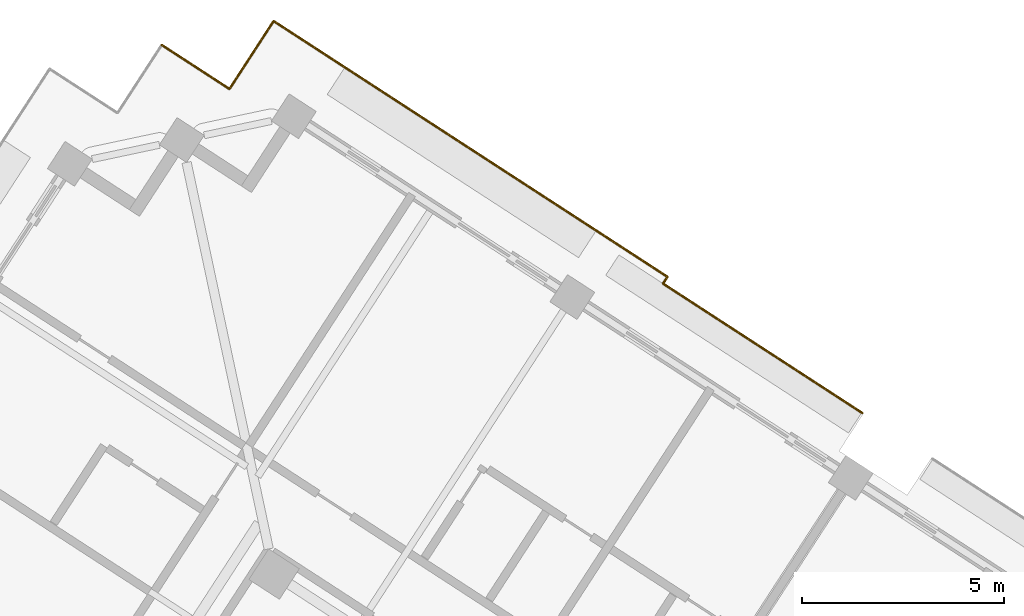
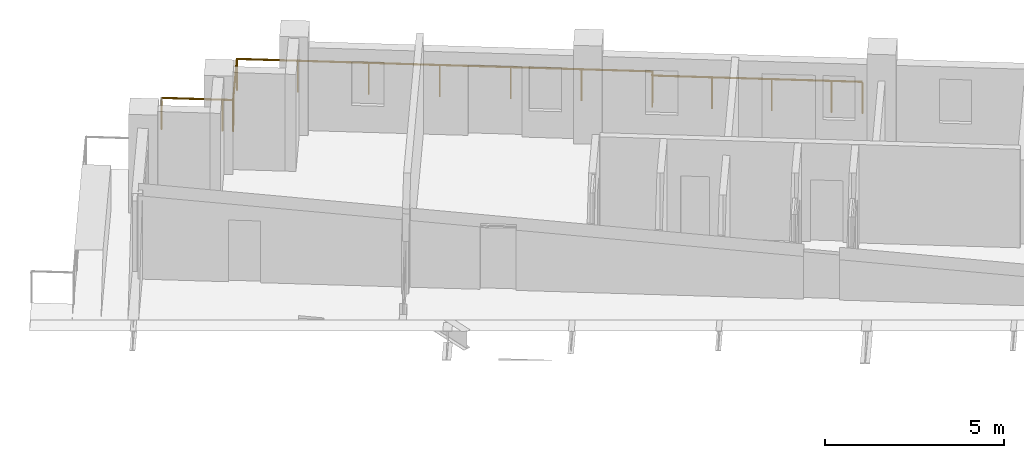
# One storey, part 16 of 17: 1 railing.
"""IFC4 building model written with IfcOpenShell, lengths in metres."""

from ifc_helpers import new_model, si_unit, direction, frame, origin, origin_2d, place, context, subcontext, project, spatial, circle, extrude, material, type_object, element, save


model = new_model("IFC4")

# Units and contexts
model_context = context("Model", 3, precision=1e-05, world=origin(), true_north=direction((0.0, 1.0)))
body_context = subcontext(model_context, "Body", "Model", "MODEL_VIEW")
ifc_project = project(units=[si_unit("LENGTHUNIT", "METRE"), si_unit("AREAUNIT", "SQUARE_METRE"), si_unit("VOLUMEUNIT", "CUBIC_METRE"), si_unit("PLANEANGLEUNIT", "RADIAN"), si_unit("MASSUNIT", "GRAM", prefix="KILO")], contexts=[model_context])

# Site, building, storey
site_placement = place(None, origin())
site = spatial("IfcSite", under=ifc_project, at=site_placement, CompositionType="ELEMENT")
building_placement = place(site_placement, origin())
building = spatial("IfcBuilding", under=site, at=building_placement, Name="Cantera Rosa Tower", CompositionType="ELEMENT")
storey_placement = place(building_placement, frame((0.0, 0.0, 254.10009765625)))
storey = spatial("IfcBuildingStorey", under=building, at=storey_placement, Name="L56", CompositionType="ELEMENT", Elevation=254.10009765625)

# Railing
ifc_material = material(Name="Stainless steel and laminated glass", Category="steel")
railing_type = type_object("IfcRailingType", Name="GUARD 1100", PredefinedType="BALUSTRADE", material=ifc_material)
railing_placement = place(storey_placement, frame((-4.248779296875, 30.362548828125, 0.0)))
element("IfcRailing", 1, at=railing_placement, inside=storey, type_object=railing_type, Name="GUARD L56-5", PredefinedType="BALUSTRADE", context=body_context, shape_type="SweptSolid", body=[
    extrude(circle(Radius=0.030029296875, at=origin_2d()), frame((0.0, 0.0, 1.070068359375), z_axis=(0.83859780397, -0.544751065329, 0.0), x_axis=(0.544751065329, 0.83859780397, 0.0)), (0.0, 0.0, 1.0), 1.699951171875),
    extrude(circle(Radius=0.030029296875, at=origin_2d()), frame((1.425537109375, -0.926025390625, 1.070068359375), z_axis=(0.838870916629, -0.5443304008, 0.0), x_axis=(0.5443304008, 0.838870916629, 0.0)), (0.0, 0.0, 1.0), 0.300048828125),
    extrude(circle(Radius=0.030029296875, at=origin_2d()), frame((1.67724609375, -1.08935546875, 1.070068359375), z_axis=(0.5443304008, 0.838870916629, 0.0), x_axis=(-0.838870916629, 0.5443304008, 0.0)), (0.0, 0.0, 1.0), 0.300048828125),
    extrude(circle(Radius=0.030029296875, at=origin_2d()), frame((1.840576171875, -0.837646484375, 1.070068359375), z_axis=(0.544751065329, 0.83859780397, 0.0), x_axis=(-0.83859780397, 0.544751065329, 0.0)), (0.0, 0.0, 1.0), 1.699951171875),
    extrude(circle(Radius=0.030029296875, at=origin_2d()), frame((2.7666015625, 0.587890625, 1.070068359375), z_axis=(0.838663412569, -0.54465005317, 0.0), x_axis=(0.54465005317, 0.838663412569, 0.0)), (0.0, 0.0, 1.0), 1.69970703125),
    extrude(circle(Radius=0.030029296875, at=origin_2d()), frame((4.192138671875, -0.337890625, 1.070068359375), z_axis=(0.83867848478, -0.544626843964, 0.0), x_axis=(0.544626843964, 0.83867848478, 0.0)), (0.0, 0.0, 1.0), 9.900146484375),
    extrude(circle(Radius=0.030029296875, at=origin_2d()), frame((12.4951171875, -5.729736328125, 1.070068359375), z_axis=(-0.544516215992, -0.838750314767, 0.0), x_axis=(0.838750314767, -0.544516215992, 0.0)), (0.0, 0.0, 1.0), 0.199951171875),
    extrude(circle(Radius=0.030029296875, at=origin_2d()), frame((12.38623046875, -5.8974609375, 1.070068359375), z_axis=(0.838653278808, -0.544665657027, 0.0), x_axis=(0.544665657027, 0.838653278808, 0.0)), (0.0, 0.0, 1.0), 5.0),
    extrude(circle(Radius=0.030029296875, at=origin_2d()), frame((16.57958984375, -8.620849609375, 1.070068359375), z_axis=(0.838725681888, -0.544554157584, 0.0), x_axis=(0.544554157584, 0.838725681888, 0.0)), (0.0, 0.0, 1.0), 0.869873046875),
    extrude(circle(Radius=0.02490234375, at=origin_2d()), origin(), (0.0, 0.0, 1.0), 1.0400390625),
    extrude(circle(Radius=0.02490234375, at=origin_2d()), frame((1.425537109375, -0.926025390625, 0.0)), (0.0, 0.0, 1.0), 1.0400390625),
    extrude(circle(Radius=0.02490234375, at=origin_2d()), frame((1.67724609375, -1.08935546875, 0.0)), (0.0, 0.0, 1.0), 1.0400390625),
    extrude(circle(Radius=0.02490234375, at=origin_2d()), frame((1.840576171875, -0.837646484375, 0.0)), (0.0, 0.0, 1.0), 1.0400390625),
    extrude(circle(Radius=0.02490234375, at=origin_2d()), frame((2.7666015625, 0.587890625, 0.0)), (0.0, 0.0, 1.0), 1.0400390625),
    extrude(circle(Radius=0.02490234375, at=origin_2d()), frame((4.192138671875, -0.337890625, 0.0)), (0.0, 0.0, 1.0), 1.0400390625),
    extrude(circle(Radius=0.02490234375, at=origin_2d()), frame((5.852783203125, -1.416259765625, 0.0)), (0.0, 0.0, 1.0), 1.0400390625),
    extrude(circle(Radius=0.02490234375, at=origin_2d()), frame((7.513427734375, -2.49462890625, 0.0)), (0.0, 0.0, 1.0), 1.0400390625),
    extrude(circle(Radius=0.02490234375, at=origin_2d()), frame((9.173828125, -3.572998046875, 0.0)), (0.0, 0.0, 1.0), 1.0400390625),
    extrude(circle(Radius=0.02490234375, at=origin_2d()), frame((10.83447265625, -4.6513671875, 0.0)), (0.0, 0.0, 1.0), 1.0400390625),
    extrude(circle(Radius=0.02490234375, at=origin_2d()), frame((12.4951171875, -5.729736328125, 0.0)), (0.0, 0.0, 1.0), 1.0400390625),
    extrude(circle(Radius=0.02490234375, at=origin_2d()), frame((12.38623046875, -5.8974609375, 0.0)), (0.0, 0.0, 1.0), 1.0400390625),
    extrude(circle(Radius=0.02490234375, at=origin_2d()), frame((13.783935546875, -6.80517578125, 0.0)), (0.0, 0.0, 1.0), 1.0400390625),
    extrude(circle(Radius=0.02490234375, at=origin_2d()), frame((15.181884765625, -7.713134765625, 0.0)), (0.0, 0.0, 1.0), 1.0400390625),
    extrude(circle(Radius=0.02490234375, at=origin_2d()), frame((16.57958984375, -8.620849609375, 0.0)), (0.0, 0.0, 1.0), 1.0400390625),
    extrude(circle(Radius=0.02490234375, at=origin_2d()), frame((17.30908203125, -9.094482421875, 0.0)), (0.0, 0.0, 1.0), 1.0400390625),
])

save(model, "model.ifc")
